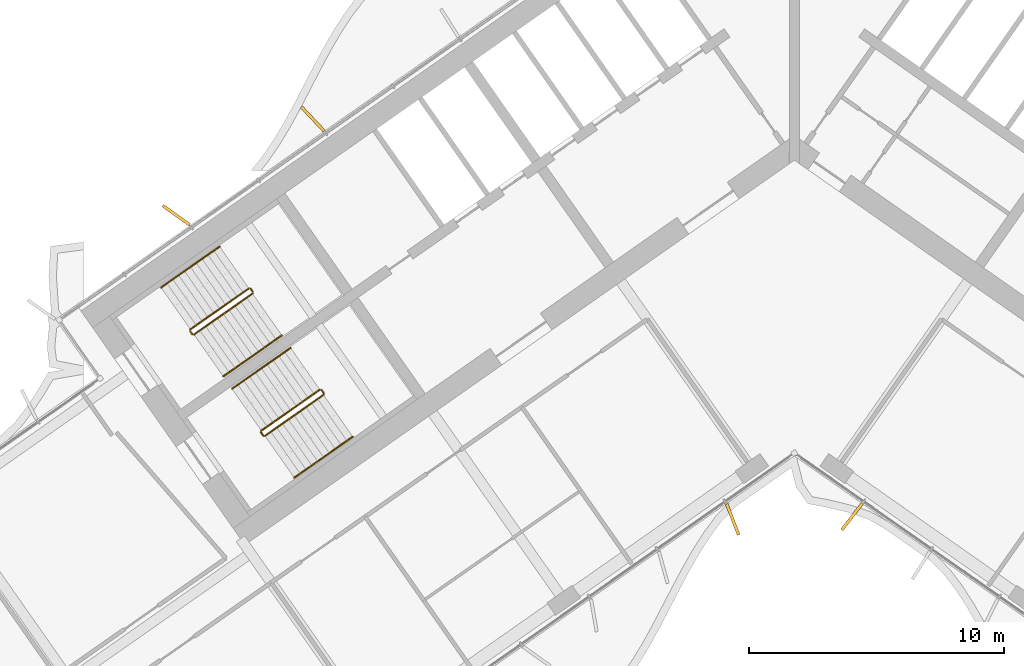
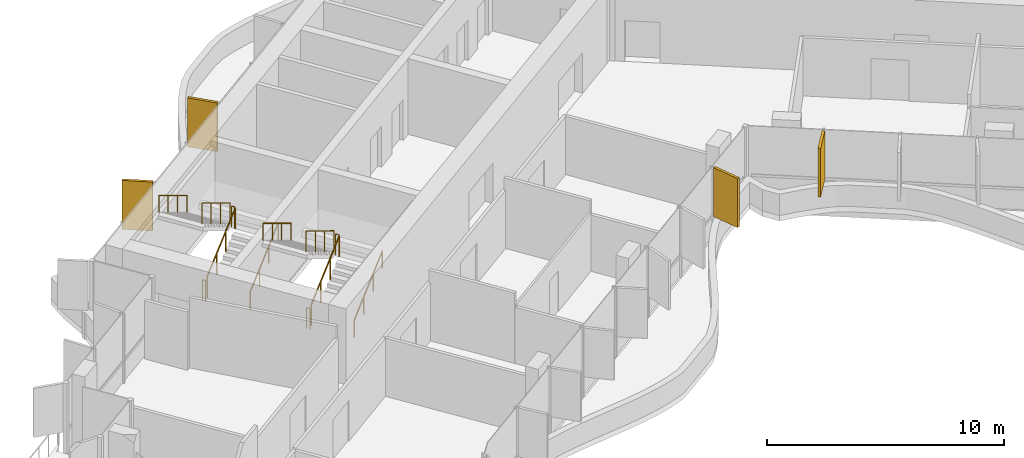
# One storey, part 18 of 22: 12 railings, 4 shading devices.
"""IFC4 building model written with IfcOpenShell, lengths in metres."""

from ifc_helpers import new_model, si_unit, direction, frame, origin, origin_2d, place, context, subcontext, project, spatial, rectangle, circle, extrude, material, layer, layer_set, type_object, element, save


model = new_model("IFC4")

# Units and contexts
model_context = context("Model", 3, precision=1e-05, world=origin(), true_north=direction((0.0, 1.0)))
body_context = subcontext(model_context, "Body", "Model", "MODEL_VIEW")
ifc_project = project(units=[si_unit("LENGTHUNIT", "METRE"), si_unit("AREAUNIT", "SQUARE_METRE"), si_unit("VOLUMEUNIT", "CUBIC_METRE"), si_unit("PLANEANGLEUNIT", "RADIAN"), si_unit("MASSUNIT", "GRAM", prefix="KILO")], contexts=[model_context])

# Site, building, storey
site_placement = place(None, origin())
site = spatial("IfcSite", under=ifc_project, at=site_placement, CompositionType="ELEMENT")
building_placement = place(site_placement, origin())
building = spatial("IfcBuilding", under=site, at=building_placement, Name="Tel Ilan Convention Tower", CompositionType="ELEMENT")
storey_placement = place(building_placement, frame((0.0, 0.0, 202.199951171875)))
storey = spatial("IfcBuildingStorey", under=building, at=storey_placement, Name="L47", CompositionType="ELEMENT", Elevation=202.199951171875)

# Shading devices
ifc_material_1 = material(Name="Aluminium, bronze anodised", Category="aluminium")
ifc_layer = layer(ifc_material_1, 0.1201171875)
ifc_layer_set = layer_set([ifc_layer], Name="FIN BRONZE 1300x120")
shading_device_type = type_object("IfcShadingDeviceType", Name="FIN BRONZE 1300x120", PredefinedType="USERDEFINED", material=ifc_layer_set)
for number, where, z_axis, x_axis, name in (
    (1, (-18.879150390625, 0.39404296875, 1.10009765625), (0.0, 0.0, 1.0), (-0.686241637865, 0.727373641577, 0.0), "FIN"),
    (2, (-24.233642578125, -3.37841796875, 1.10009765625), (0.0, 0.0, 1.0), (-0.813552070258, 0.581492071294, 0.0), "FIN"),
    (3, (-2.419921875, -15.2998046875, 1.10009765625), (0.0, 0.0, 1.0), (0.360177724803, -0.932883704733, 0.0), "FIN"),
    (4, (2.262451171875, -15.19775390625, 1.10009765625), (0.0, 0.0, 1.0), (-0.612600545196, -0.790392669516, 0.0), "FIN"),
):
    element("IfcShadingDevice", number, at=place(storey_placement, frame(where, z_axis=z_axis, x_axis=x_axis)), inside=storey, type_object=shading_device_type, Name=name, ObjectType="FIN", PredefinedType="USERDEFINED", context=body_context, shape_type="SweptSolid", body=[
        extrude(rectangle(XDim=1.300048828125, YDim=0.1201171875, at=origin_2d()), origin(), (0.0, 0.0, 1.0), 2.52001953125),
    ])

# Railings
ifc_material_2 = material(Name="Stainless Steel Grade 316", Category="steel")
railing_type_1 = type_object("IfcRailingType", Name="Stainless Steel Stair Guard 1100 mm", PredefinedType="GUARDRAIL", material=ifc_material_2)
railing_1_placement = place(storey_placement, frame((-23.535400390625, -8.056396484375, 0.17724609375)))
element("IfcRailing", 5, at=railing_1_placement, inside=storey, type_object=railing_type_1, Name="L47 S1 stair guard 1", PredefinedType="GUARDRAIL", context=body_context, shape_type="SweptSolid", body=[
    extrude(circle(Radius=0.02392578125, at=origin_2d()), frame((0.0, 0.0, 1.076171875), z_axis=(0.692098378994, 0.484653031975, 0.534893701956), x_axis=(-0.573608623498, 0.819129505664, 0.0)), (0.0, 0.0, 1.0), 3.314208984375),
    extrude(circle(Radius=0.02099609375, at=origin_2d()), origin(), (0.0, 0.0, 1.0), 1.052001953125),
    extrude(circle(Radius=0.02099609375, at=origin_2d()), frame((0.7646484375, 0.535400390625, 0.5908203125)), (0.0, 0.0, 1.0), 1.052001953125),
    extrude(circle(Radius=0.02099609375, at=origin_2d()), frame((1.529052734375, 1.07080078125, 1.181884765625)), (0.0, 0.0, 1.0), 1.052001953125),
    extrude(circle(Radius=0.02099609375, at=origin_2d()), frame((2.293701171875, 1.606201171875, 1.772705078125)), (0.0, 0.0, 1.0), 1.052001953125),
])
railing_2_placement = place(storey_placement, frame((-21.2294921875, -6.380615234375, 1.949951171875)))
element("IfcRailing", 6, at=railing_2_placement, inside=storey, type_object=railing_type_1, Name="L47 S1 stair guard 2", PredefinedType="GUARDRAIL", context=body_context, shape_type="SweptSolid", body=[
    extrude(circle(Radius=0.02392578125, at=origin_2d()), frame((0.0, 0.0, 1.076171875), z_axis=(-0.573353020881, 0.819308436089, 0.0), x_axis=(-0.819308436089, -0.573353020881, 0.0)), (0.0, 0.0, 1.0), 0.14990234375),
    extrude(circle(Radius=0.02099609375, at=origin_2d()), origin(), (0.0, 0.0, 1.0), 1.052001953125),
    extrude(circle(Radius=0.02099609375, at=origin_2d()), frame((-0.0859375, 0.122802734375, 0.0)), (0.0, 0.0, 1.0), 1.052001953125),
])
railing_3_placement = place(storey_placement, frame((-21.38525390625, -6.24560546875, 2.12744140625)))
element("IfcRailing", 7, at=railing_3_placement, inside=storey, type_object=railing_type_1, Name="L47 S1 stair guard 3", PredefinedType="GUARDRAIL", context=body_context, shape_type="SweptSolid", body=[
    extrude(circle(Radius=0.02392578125, at=origin_2d()), frame((0.0, 0.0, 1.076171875), z_axis=(-0.692084706163, -0.484621375041, 0.534940073605), x_axis=(0.573591086599, -0.819141785879, 0.0)), (0.0, 0.0, 1.0), 3.313720703125),
    extrude(circle(Radius=0.02099609375, at=origin_2d()), origin(), (0.0, 0.0, 1.0), 1.052001953125),
    extrude(circle(Radius=0.02099609375, at=origin_2d()), frame((-0.764404296875, -0.535400390625, 0.5908203125)), (0.0, 0.0, 1.0), 1.052001953125),
    extrude(circle(Radius=0.02099609375, at=origin_2d()), frame((-1.529052734375, -1.070556640625, 1.181884765625)), (0.0, 0.0, 1.0), 1.052001953125),
    extrude(circle(Radius=0.02099609375, at=origin_2d()), frame((-2.29345703125, -1.60595703125, 1.772705078125)), (0.0, 0.0, 1.0), 1.052001953125),
])
railing_4_placement = place(storey_placement, frame((-23.60498046875, -8.0439453125, 0.0)))
element("IfcRailing", 8, at=railing_4_placement, inside=storey, type_object=railing_type_1, Name="L47 S1 stair guard 4", PredefinedType="GUARDRAIL", context=body_context, shape_type="SweptSolid", body=[
    extrude(circle(Radius=0.02392578125, at=origin_2d()), frame((0.0, 0.0, 1.076171875), z_axis=(-0.574444878118, 0.818543268254, 0.0), x_axis=(-0.818543268254, -0.574444878118, 0.0)), (0.0, 0.0, 1.0), 0.150146484375),
    extrude(circle(Radius=0.02099609375, at=origin_2d()), origin(), (0.0, 0.0, 1.0), 1.052001953125),
    extrude(circle(Radius=0.02099609375, at=origin_2d()), frame((-0.086181640625, 0.122802734375, 0.0)), (0.0, 0.0, 1.0), 1.052001953125),
])
railing_5_placement = place(storey_placement, frame((-20.753662109375, -12.029296875, 0.17724609375)))
element("IfcRailing", 9, at=railing_5_placement, inside=storey, type_object=railing_type_1, Name="L47 S2 stair guard 1", PredefinedType="GUARDRAIL", context=body_context, shape_type="SweptSolid", body=[
    extrude(circle(Radius=0.02392578125, at=origin_2d()), frame((0.0, 0.0, 1.076171875), z_axis=(0.692098378994, 0.484653031975, 0.534893701956), x_axis=(-0.573608623498, 0.819129505664, 0.0)), (0.0, 0.0, 1.0), 3.314208984375),
    extrude(circle(Radius=0.02099609375, at=origin_2d()), origin(), (0.0, 0.0, 1.0), 1.052001953125),
    extrude(circle(Radius=0.02099609375, at=origin_2d()), frame((0.7646484375, 0.535400390625, 0.5908203125)), (0.0, 0.0, 1.0), 1.052001953125),
    extrude(circle(Radius=0.02099609375, at=origin_2d()), frame((1.529052734375, 1.07080078125, 1.181884765625)), (0.0, 0.0, 1.0), 1.052001953125),
    extrude(circle(Radius=0.02099609375, at=origin_2d()), frame((2.293701171875, 1.606201171875, 1.772705078125)), (0.0, 0.0, 1.0), 1.052001953125),
])
railing_6_placement = place(storey_placement, frame((-18.44775390625, -10.353515625, 1.949951171875)))
element("IfcRailing", 10, at=railing_6_placement, inside=storey, type_object=railing_type_1, Name="L47 S2 stair guard 2", PredefinedType="GUARDRAIL", context=body_context, shape_type="SweptSolid", body=[
    extrude(circle(Radius=0.02392578125, at=origin_2d()), frame((0.0, 0.0, 1.076171875), z_axis=(-0.573353020881, 0.819308436089, 0.0), x_axis=(-0.819308436089, -0.573353020881, 0.0)), (0.0, 0.0, 1.0), 0.14990234375),
    extrude(circle(Radius=0.02099609375, at=origin_2d()), origin(), (0.0, 0.0, 1.0), 1.052001953125),
    extrude(circle(Radius=0.02099609375, at=origin_2d()), frame((-0.0859375, 0.122802734375, 0.0)), (0.0, 0.0, 1.0), 1.052001953125),
])
railing_7_placement = place(storey_placement, frame((-18.603271484375, -10.218505859375, 2.12744140625)))
element("IfcRailing", 11, at=railing_7_placement, inside=storey, type_object=railing_type_1, Name="L47 S2 stair guard 3", PredefinedType="GUARDRAIL", context=body_context, shape_type="SweptSolid", body=[
    extrude(circle(Radius=0.02392578125, at=origin_2d()), frame((0.0, 0.0, 1.076171875), z_axis=(-0.692123088272, -0.484596665743, 0.534912798717), x_axis=(0.573550118428, -0.819170471667, 0.0)), (0.0, 0.0, 1.0), 3.31396484375),
    extrude(circle(Radius=0.02099609375, at=origin_2d()), origin(), (0.0, 0.0, 1.0), 1.052001953125),
    extrude(circle(Radius=0.02099609375, at=origin_2d()), frame((-0.7646484375, -0.535400390625, 0.5908203125)), (0.0, 0.0, 1.0), 1.052001953125),
    extrude(circle(Radius=0.02099609375, at=origin_2d()), frame((-1.529052734375, -1.070556640625, 1.181884765625)), (0.0, 0.0, 1.0), 1.052001953125),
    extrude(circle(Radius=0.02099609375, at=origin_2d()), frame((-2.293701171875, -1.60595703125, 1.772705078125)), (0.0, 0.0, 1.0), 1.052001953125),
])
railing_8_placement = place(storey_placement, frame((-20.8232421875, -12.016845703125, 0.0)))
element("IfcRailing", 12, at=railing_8_placement, inside=storey, type_object=railing_type_1, Name="L47 S2 stair guard 4", PredefinedType="GUARDRAIL", context=body_context, shape_type="SweptSolid", body=[
    extrude(circle(Radius=0.02392578125, at=origin_2d()), frame((0.0, 0.0, 1.076171875), z_axis=(-0.573353020881, 0.819308436089, 0.0), x_axis=(-0.819308436089, -0.573353020881, 0.0)), (0.0, 0.0, 1.0), 0.14990234375),
    extrude(circle(Radius=0.02099609375, at=origin_2d()), origin(), (0.0, 0.0, 1.0), 1.052001953125),
    extrude(circle(Radius=0.02099609375, at=origin_2d()), frame((-0.0859375, 0.122802734375, 0.0)), (0.0, 0.0, 1.0), 1.052001953125),
])
ifc_material_3 = material(Name="Stainless Steel Grade 316", Category="steel")
railing_type_2 = type_object("IfcRailingType", Name="Stainless Steel Stair Handrail 900 mm", PredefinedType="HANDRAIL", material=ifc_material_3)
railing_9_placement = place(storey_placement, frame((-22.38818359375, -9.694580078125, 0.17724609375)))
element("IfcRailing", 13, at=railing_9_placement, inside=storey, type_object=railing_type_2, Name="L47 S1 stair handrail 1", PredefinedType="HANDRAIL", context=body_context, shape_type="SweptSolid", body=[
    extrude(circle(Radius=0.02392578125, at=origin_2d()), frame((0.0, 0.0, 0.8759765625), z_axis=(0.692084706163, 0.484621375041, 0.534940073605), x_axis=(-0.573591086599, 0.819141785879, 0.0)), (0.0, 0.0, 1.0), 3.313720703125),
    extrude(circle(Radius=0.02099609375, at=origin_2d()), origin(), (0.0, 0.0, 1.0), 0.851806640625),
    extrude(circle(Radius=0.02099609375, at=origin_2d()), frame((0.764404296875, 0.535400390625, 0.5908203125)), (0.0, 0.0, 1.0), 0.851806640625),
    extrude(circle(Radius=0.02099609375, at=origin_2d()), frame((1.529052734375, 1.070556640625, 1.181884765625)), (0.0, 0.0, 1.0), 0.851806640625),
    extrude(circle(Radius=0.02099609375, at=origin_2d()), frame((2.29345703125, 1.60595703125, 1.772705078125)), (0.0, 0.0, 1.0), 0.851806640625),
])
railing_10_placement = place(storey_placement, frame((-22.5322265625, -4.607177734375, 2.12744140625)))
element("IfcRailing", 14, at=railing_10_placement, inside=storey, type_object=railing_type_2, Name="L47 S1 stair handrail 2", PredefinedType="HANDRAIL", context=body_context, shape_type="SweptSolid", body=[
    extrude(circle(Radius=0.02392578125, at=origin_2d()), frame((0.0, 0.0, 0.8759765625), z_axis=(-0.692123088272, -0.484596665743, 0.534912798717), x_axis=(0.573550118428, -0.819170471667, 0.0)), (0.0, 0.0, 1.0), 3.31396484375),
    extrude(circle(Radius=0.02099609375, at=origin_2d()), origin(), (0.0, 0.0, 1.0), 0.851806640625),
    extrude(circle(Radius=0.02099609375, at=origin_2d()), frame((-0.7646484375, -0.535400390625, 0.5908203125)), (0.0, 0.0, 1.0), 0.851806640625),
    extrude(circle(Radius=0.02099609375, at=origin_2d()), frame((-1.529052734375, -1.070556640625, 1.181884765625)), (0.0, 0.0, 1.0), 0.851806640625),
    extrude(circle(Radius=0.02099609375, at=origin_2d()), frame((-2.293701171875, -1.60595703125, 1.772705078125)), (0.0, 0.0, 1.0), 0.851806640625),
])
railing_11_placement = place(storey_placement, frame((-19.6064453125, -13.66748046875, 0.17724609375)))
element("IfcRailing", 15, at=railing_11_placement, inside=storey, type_object=railing_type_2, Name="L47 S2 stair handrail 1", PredefinedType="HANDRAIL", context=body_context, shape_type="SweptSolid", body=[
    extrude(circle(Radius=0.02392578125, at=origin_2d()), frame((0.0, 0.0, 0.8759765625), z_axis=(0.692123088272, 0.484596665743, 0.534912798717), x_axis=(-0.573550118428, 0.819170471667, 0.0)), (0.0, 0.0, 1.0), 3.31396484375),
    extrude(circle(Radius=0.02099609375, at=origin_2d()), origin(), (0.0, 0.0, 1.0), 0.851806640625),
    extrude(circle(Radius=0.02099609375, at=origin_2d()), frame((0.7646484375, 0.535400390625, 0.5908203125)), (0.0, 0.0, 1.0), 0.851806640625),
    extrude(circle(Radius=0.02099609375, at=origin_2d()), frame((1.529052734375, 1.070556640625, 1.181884765625)), (0.0, 0.0, 1.0), 0.851806640625),
    extrude(circle(Radius=0.02099609375, at=origin_2d()), frame((2.293701171875, 1.60595703125, 1.772705078125)), (0.0, 0.0, 1.0), 0.851806640625),
])
railing_12_placement = place(storey_placement, frame((-19.75048828125, -8.580078125, 2.12744140625)))
element("IfcRailing", 16, at=railing_12_placement, inside=storey, type_object=railing_type_2, Name="L47 S2 stair handrail 2", PredefinedType="HANDRAIL", context=body_context, shape_type="SweptSolid", body=[
    extrude(circle(Radius=0.02392578125, at=origin_2d()), frame((0.0, 0.0, 0.8759765625), z_axis=(-0.692123088272, -0.484596665743, 0.534912798717), x_axis=(0.573550118428, -0.819170471667, 0.0)), (0.0, 0.0, 1.0), 3.31396484375),
    extrude(circle(Radius=0.02099609375, at=origin_2d()), origin(), (0.0, 0.0, 1.0), 0.851806640625),
    extrude(circle(Radius=0.02099609375, at=origin_2d()), frame((-0.7646484375, -0.535400390625, 0.5908203125)), (0.0, 0.0, 1.0), 0.851806640625),
    extrude(circle(Radius=0.02099609375, at=origin_2d()), frame((-1.529052734375, -1.070556640625, 1.181884765625)), (0.0, 0.0, 1.0), 0.851806640625),
    extrude(circle(Radius=0.02099609375, at=origin_2d()), frame((-2.293701171875, -1.60595703125, 1.772705078125)), (0.0, 0.0, 1.0), 0.851806640625),
])

save(model, "model.ifc")
